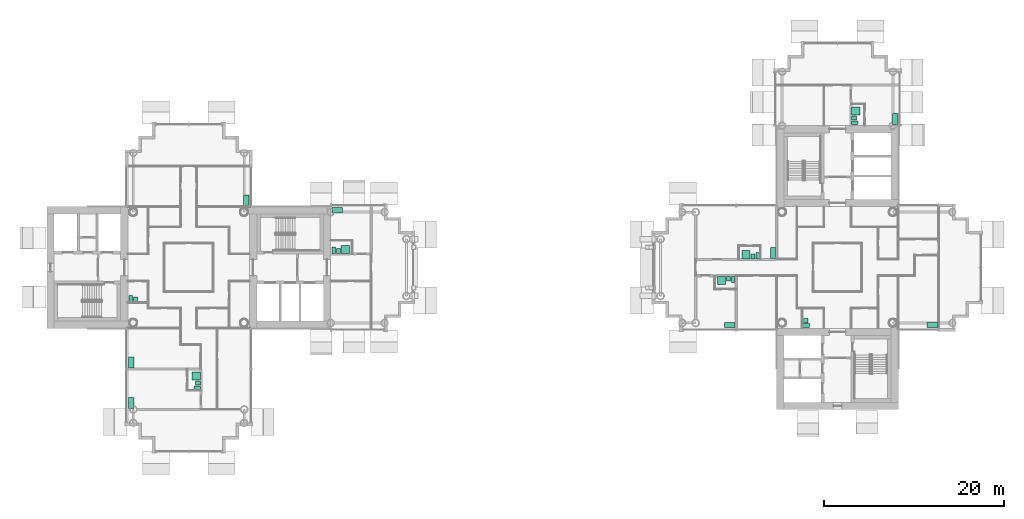
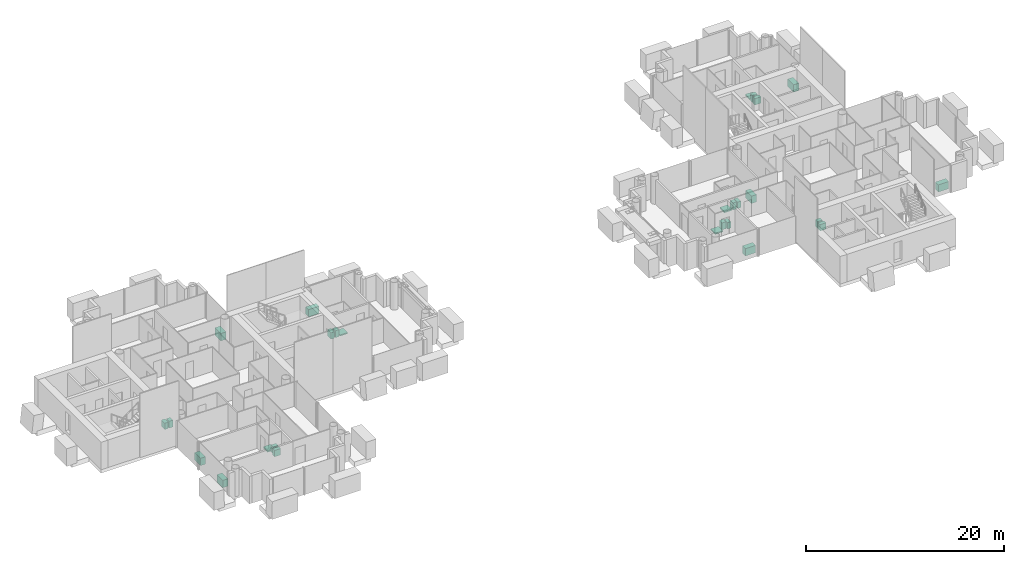
# One storey, part 18 of 18: 27 sanitary terminals.
"""IFC4 building model written with IfcOpenShell, lengths in metres."""

from ifc_helpers import new_model, si_unit, direction, frame, origin, origin_2d, place, context, subcontext, project, spatial, rectangle, extrude, material, type_object, element, save


model = new_model("IFC4")

# Units and contexts
model_context = context("Model", 3, precision=1e-05, world=origin(), true_north=direction((0.0, 1.0)))
body_context = subcontext(model_context, "Body", "Model", "MODEL_VIEW")
ifc_project = project(units=[si_unit("LENGTHUNIT", "METRE"), si_unit("AREAUNIT", "SQUARE_METRE"), si_unit("VOLUMEUNIT", "CUBIC_METRE"), si_unit("PLANEANGLEUNIT", "RADIAN"), si_unit("MASSUNIT", "GRAM", prefix="KILO")], contexts=[model_context])

# Site, building, storey
site_placement = place(None, origin())
site = spatial("IfcSite", under=ifc_project, at=site_placement, CompositionType="ELEMENT")
building_placement = place(site_placement, origin())
building = spatial("IfcBuilding", under=site, at=building_placement, Name="Ipe Terrace Towers", CompositionType="ELEMENT")
storey_placement = place(building_placement, frame((0.0, 0.0, 177.89990234375)))
storey = spatial("IfcBuildingStorey", under=building, at=storey_placement, Name="L49", CompositionType="ELEMENT", Elevation=177.89990234375)

# Sanitary terminals
ifc_material_1 = material(Name="Stainless sink unit", Category="metal")
sanitary_terminal_type_1 = type_object("IfcSanitaryTerminalType", Name="Kitchen sink unit", PredefinedType="SINK", material=ifc_material_1)
for number, where, z_axis, x_axis, name in (
    (1, (-29.6201171875, 7.469970703125, 0.000244140625), (0.0, 0.0, 1.0), (0.0, -1.0, 0.0), "Kitchen sink unit"),
    (2, (-42.3798828125, -10.530029296875, 0.000244140625), (0.0, 0.0, 1.0), (0.0, 1.0, 0.0), "Kitchen sink unit"),
    (3, (-42.3798828125, -15.030029296875, 0.000244140625), (0.0, 0.0, 1.0), (0.0, 1.0, 0.0), "Kitchen sink unit"),
    (4, (-19.530029296875, 6.3798828125, 0.000244140625), (0.0, 0.0, 1.0), (1.0, 0.0, 0.0), "Kitchen sink unit"),
    (5, (24.030029296875, -6.3798828125, 0.000244140625), (0.0, 0.0, 1.0), (-1.0, 0.0, 0.0), "Kitchen sink unit"),
    (6, (28.8798828125, 1.6201171875, 0.000244140625), (0.0, 0.0, 1.0), (0.0, -1.0, 0.0), "Kitchen sink unit"),
    (7, (46.530029296875, -6.3798828125, 0.000244140625), (0.0, 0.0, 1.0), (-1.0, 0.0, 0.0), "Kitchen sink unit"),
    (8, (42.3798828125, 16.469970703125, 0.000244140625), (0.0, 0.0, 1.0), (0.0, -1.0, 0.0), "Kitchen sink unit"),
):
    element("IfcSanitaryTerminal", number, at=place(storey_placement, frame(where, z_axis=z_axis, x_axis=x_axis)), inside=storey, type_object=sanitary_terminal_type_1, Name=name, PredefinedType="SINK", context=body_context, shape_type="SweptSolid", body=[
        extrude(rectangle(XDim=1.199951171875, YDim=0.60009765625, at=origin_2d()), origin(), (0.0, 0.0, 1.0), 0.89990234375),
    ])
ifc_material_2 = material(Name="Acrylic", Category="plastic")
sanitary_terminal_type_2 = type_object("IfcSanitaryTerminalType", Name="Shower tray", PredefinedType="SHOWER", material=ifc_material_2)
for number, where, z_axis, x_axis, name in (
    (9, (-35.169921875, -12.030029296875, 0.000244140625), (0.0, 0.0, 1.0), (-1.0, 0.0, 0.0), "Shower tray"),
    (10, (-18.6298828125, 2.02001953125, 0.000244140625), (0.0, 0.0, 1.0), (0.0, 1.0, 0.0), "Shower tray"),
    (11, (23.1298828125, -1.419921875, 0.000244140625), (0.0, 0.0, 1.0), (0.0, -1.0, 0.0), "Shower tray"),
    (12, (25.830078125, 1.419921875, 0.000244140625), (0.0, 0.0, 1.0), (0.0, 1.0, 0.0), "Shower tray"),
    (13, (38.02001953125, 17.3701171875, 0.000244140625), (0.0, 0.0, 1.0), (1.0, 0.0, 0.0), "Shower tray"),
):
    element("IfcSanitaryTerminal", number, at=place(storey_placement, frame(where, z_axis=z_axis, x_axis=x_axis)), inside=storey, type_object=sanitary_terminal_type_2, Name=name, PredefinedType="SHOWER", context=body_context, shape_type="SweptSolid", body=[
        extrude(rectangle(XDim=0.89990234375, YDim=0.89990234375, at=origin_2d()), origin(), (0.0, 0.0, 1.0), 0.14990234375),
    ])
ifc_material_3 = material(Name="Vitreous china", Category="ceramic")
sanitary_terminal_type_3 = type_object("IfcSanitaryTerminalType", Name="Wash basin", PredefinedType="WASHHANDBASIN", material=ifc_material_3)
for number, where, z_axis, x_axis, name in (
    (14, (-41.905029296875, -3.554931640625, 0.0), (0.0, 0.0, 1.0), (0.0, 1.0, 0.0), "Wash basin"),
    (15, (-34.9951171875, -12.804931640625, 0.0), (0.0, 0.0, 1.0), (-1.0, 0.0, 0.0), "Wash basin"),
    (16, (-19.405029296875, 1.844970703125, 0.0), (0.0, 0.0, 1.0), (0.0, 1.0, 0.0), "Wash basin"),
    (17, (32.445068359375, -5.905029296875, 0.0), (0.0, 0.0, 1.0), (1.0, 0.0, 0.0), "Wash basin"),
    (18, (23.905029296875, -1.2451171875, 0.0), (0.0, 0.0, 1.0), (0.0, -1.0, 0.0), "Wash basin"),
    (19, (26.60498046875, 1.2451171875, 0.0), (0.0, 0.0, 1.0), (0.0, 1.0, 0.0), "Wash basin"),
    (20, (37.844970703125, 16.594970703125, 0.0), (0.0, 0.0, 1.0), (1.0, 0.0, 0.0), "Wash basin"),
):
    element("IfcSanitaryTerminal", number, at=place(storey_placement, frame(where, z_axis=z_axis, x_axis=x_axis)), inside=storey, type_object=sanitary_terminal_type_3, Name=name, PredefinedType="WASHHANDBASIN", context=body_context, shape_type="SweptSolid", body=[
        extrude(rectangle(XDim=0.550048828125, YDim=0.449951171875, at=origin_2d()), origin(), (0.0, 0.0, 1.0), 0.85009765625),
    ])
ifc_material_4 = material(Name="Vitreous china", Category="ceramic")
sanitary_terminal_type_4 = type_object("IfcSanitaryTerminalType", Name="Water closet", PredefinedType="TOILETPAN", material=ifc_material_4)
for number, where, z_axis, x_axis, name in (
    (21, (-42.429931640625, -3.47998046875, 0.0), (0.0, 0.0, 1.0), (0.0, 1.0, 0.0), "Water closet"),
    (22, (-35.070068359375, -13.330078125, 0.0), (0.0, 0.0, 1.0), (-1.0, 0.0, 0.0), "Water closet"),
    (23, (-19.929931640625, 1.919921875, 0.0), (0.0, 0.0, 1.0), (0.0, 1.0, 0.0), "Water closet"),
    (24, (32.52001953125, -6.429931640625, 0.0), (0.0, 0.0, 1.0), (1.0, 0.0, 0.0), "Water closet"),
    (25, (24.429931640625, -1.320068359375, 0.0), (0.0, 0.0, 1.0), (0.0, -1.0, 0.0), "Water closet"),
    (26, (27.1298828125, 1.320068359375, 0.0), (0.0, 0.0, 1.0), (0.0, 1.0, 0.0), "Water closet"),
    (27, (37.919921875, 16.070068359375, 0.0), (0.0, 0.0, 1.0), (1.0, 0.0, 0.0), "Water closet"),
):
    element("IfcSanitaryTerminal", number, at=place(storey_placement, frame(where, z_axis=z_axis, x_axis=x_axis)), inside=storey, type_object=sanitary_terminal_type_4, Name=name, PredefinedType="TOILETPAN", context=body_context, shape_type="SweptSolid", body=[
        extrude(rectangle(XDim=0.699951171875, YDim=0.39990234375, at=origin_2d()), origin(), (0.0, 0.0, 1.0), 0.780029296875),
    ])

save(model, "model.ifc")
